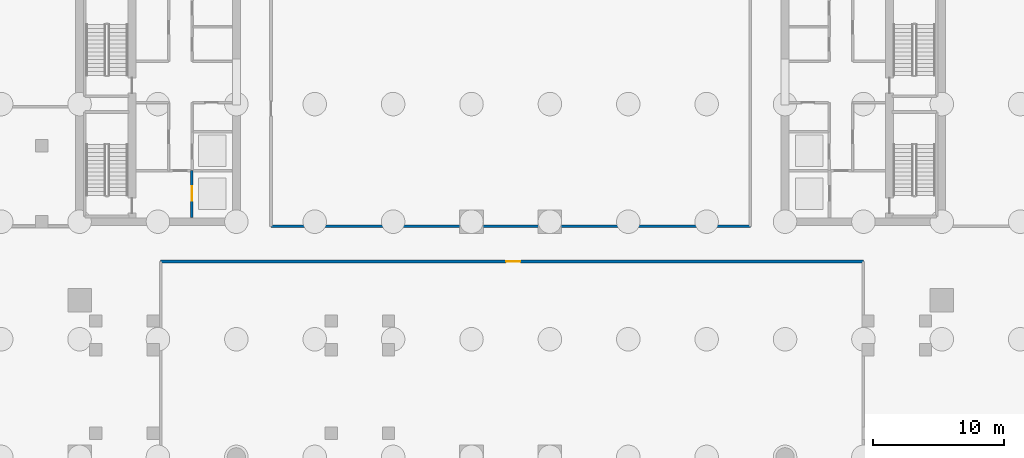
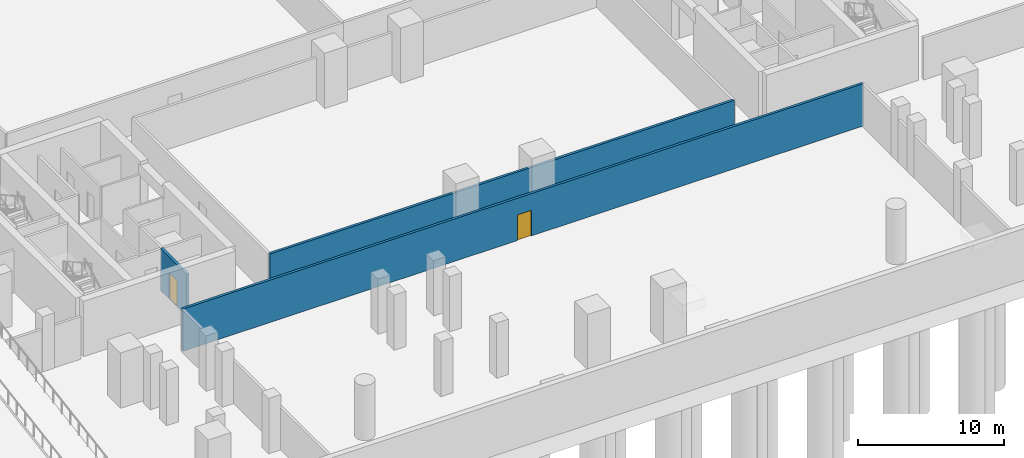
# One storey, part 5 of 14: 3 walls, 2 doors, 2 openings.
"""IFC4 building model written with IfcOpenShell, lengths in metres."""

import ifcopenshell
import ifcopenshell.guid

model = None  # the IFC model being written
_history = None  # IfcOwnerHistory: only IFC2X3 demands one
_inside = {}  # id of a spatial element -> (the spatial element, [elements in it])
_under = {}  # id of a project, library or spatial element -> (it, [spatial elements below it])
_declared = {}  # id of a project -> (the project, [libraries it declares])
_typed = {}  # id of a type object -> (the type object, [elements of that type])
_made_of = {}  # id of a material, layer set ... -> (it, [elements and type objects made of it])


def new_model(schema):
    """Start an empty IFC model of exactly this schema.

    Asked for "IFC4X3", IfcOpenShell would pick the latest addendum, in which some entities
    have other attributes; the version numbers below select the first issue.
    IFC2X3 requires an IfcOwnerHistory on every rooted entity: one is made here for all.
    """
    global model, _history
    if schema == "IFC4X3":
        model = ifcopenshell.file(schema_version=(4, 3, 0, 0))
    else:
        model = ifcopenshell.file(schema=schema)
    _inside.clear()
    _under.clear()
    _declared.clear()
    _typed.clear()
    _made_of.clear()
    _history = None
    if model.schema == "IFC2X3":
        org = make("IfcOrganization", Name="unknown")
        user = make(
            "IfcPersonAndOrganization",
            ThePerson=make("IfcPerson", FamilyName="unknown"),
            TheOrganization=org,
        )
        app = make(
            "IfcApplication",
            ApplicationDeveloper=org,
            Version="unknown",
            ApplicationFullName="unknown",
            ApplicationIdentifier="unknown",
        )
        _history = make(
            "IfcOwnerHistory",
            OwningUser=user,
            OwningApplication=app,
            ChangeAction="ADDED",
            CreationDate=0,
        )
    return model


def make(cls, **values):
    """One entity of the class cls with the attributes given. An attribute that is None is left unset."""
    return model.create_entity(
        cls, **{name: value for name, value in values.items() if value is not None}
    )


def rooted(cls, **values):
    """An entity with a GlobalId (a new one), such as an element, a storey or a relation."""
    return make(cls, GlobalId=ifcopenshell.guid.new(), OwnerHistory=_history, **values)


def si_unit(unit_type, name, prefix=None):
    """IfcSIUnit, for example si_unit("LENGTHUNIT", "METRE", prefix="MILLI")."""
    return make("IfcSIUnit", UnitType=unit_type, Prefix=prefix, Name=name)


def assignment(units):
    """IfcUnitAssignment: the units of a project."""
    return None if units is None else make("IfcUnitAssignment", Units=units)


def point(xyz):
    """IfcCartesianPoint."""
    return None if xyz is None else make("IfcCartesianPoint", Coordinates=xyz)


def direction(xyz):
    """IfcDirection."""
    return None if xyz is None else make("IfcDirection", DirectionRatios=xyz)


def frame(location, z_axis=None, x_axis=None):
    """IfcAxis2Placement3D, a coordinate frame: its origin and axes. An axis left out is left unset."""
    return make(
        "IfcAxis2Placement3D",
        Location=point(location),
        Axis=direction(z_axis),
        RefDirection=direction(x_axis),
    )


def frame_2d(location, x_axis=None):
    """IfcAxis2Placement2D, a coordinate frame in the plane: its origin and x axis."""
    return make(
        "IfcAxis2Placement2D", Location=point(location), RefDirection=direction(x_axis)
    )


def origin():
    """The frame at (0, 0, 0) with its axes left unset."""
    return frame((0.0, 0.0, 0.0))


def place(relative_to, where):
    """IfcLocalPlacement: puts the frame where relative to a parent placement (None: the world)."""
    return make(
        "IfcLocalPlacement", PlacementRelTo=relative_to, RelativePlacement=where
    )


def context(
    kind, dimensions, precision=None, world=None, true_north=None, identifier=None
):
    """IfcGeometricRepresentationContext, for example the 3D "Model" context."""
    return make(
        "IfcGeometricRepresentationContext",
        ContextIdentifier=identifier,
        ContextType=kind,
        CoordinateSpaceDimension=dimensions,
        Precision=precision,
        WorldCoordinateSystem=world,
        TrueNorth=true_north,
    )


def subcontext(parent, identifier, kind, view, scale=None):
    """IfcGeometricRepresentationSubContext, for example "Body" below "Model"."""
    return make(
        "IfcGeometricRepresentationSubContext",
        ContextIdentifier=identifier,
        ContextType=kind,
        ParentContext=parent,
        TargetScale=scale,
        TargetView=view,
    )


def project(units=None, contexts=None):
    """IfcProject with its units and contexts."""
    return rooted(
        "IfcProject",
        Name="project",
        RepresentationContexts=contexts,
        UnitsInContext=assignment(units),
    )


def spatial(cls, under=None, at=None, **own):
    """A site, building, storey or space (cls), placed at a placement, below another one or the project."""
    s = rooted(cls, ObjectPlacement=at, **own)
    if under is not None:
        _under.setdefault(under.id(), (under, []))[1].append(s)
    return s


def profile(cls, at=None, kind="AREA", **sizes):
    """A parametric profile (cls). Its sizes go by their IFC names, for example OverallWidth=200.0."""
    return make(cls, ProfileType=kind, Position=at, **sizes)


def rectangle(**sizes):
    """IfcRectangleProfileDef."""
    return profile("IfcRectangleProfileDef", **sizes)


def extrude(swept, where, along, depth):
    """IfcExtrudedAreaSolid: the profile swept, set in the frame where, extruded along a direction by depth."""
    return make(
        "IfcExtrudedAreaSolid",
        SweptArea=swept,
        Position=where,
        ExtrudedDirection=direction(along),
        Depth=depth,
    )


def shape(context_of_items, identifier, shape_type, items):
    """IfcShapeRepresentation: the items that make up one representation, for example the "Body"."""
    return make(
        "IfcShapeRepresentation",
        ContextOfItems=context_of_items,
        RepresentationIdentifier=identifier,
        RepresentationType=shape_type,
        Items=items,
    )


def material(Name=None, Category=None):
    """IfcMaterial."""
    return make("IfcMaterial", Name=Name, Category=Category)


def layer(
    of_material, thickness, ventilated=None, Name=None, Category=None, Priority=None
):
    """IfcMaterialLayer: one layer of a wall or slab, of a material (None: an air gap)."""
    return make(
        "IfcMaterialLayer",
        Material=of_material,
        LayerThickness=thickness,
        IsVentilated=ventilated,
        Name=Name,
        Category=Category,
        Priority=Priority,
    )


def layer_set(layers, Name=None):
    """IfcMaterialLayerSet."""
    return make("IfcMaterialLayerSet", MaterialLayers=layers, LayerSetName=Name)


def made_of(thing, what):
    """Note that an element or type object is made of a material, layer set ...; save() writes the relation."""
    if what is not None:
        _made_of.setdefault(what.id(), (what, []))[1].append(thing)
    return thing


def type_object(cls, material=None, **own):
    """A type object (cls), such as IfcWallType, which elements share."""
    return made_of(rooted(cls, **own), material)


def element(
    cls,
    number,
    at=None,
    inside=None,
    cuts=None,
    type_object=None,
    material=None,
    context=None,
    identifier="Body",
    shape_type=None,
    held_by="IfcProductDefinitionShape",
    body=None,
    shapes=None,
    **own,
):
    """One element of the class cls, such as IfcWall. Its Tag is "e" and its number.

    at: its placement. inside: the storey or other place that contains it. cuts: it is an
    opening in that element (IfcRelVoidsElement). A single representation is given by context,
    identifier, shape_type and body (its items); several are given by shapes. held_by: the class
    of the entity that holds the representations. save() writes the other relations.
    """
    e = rooted(cls, Tag="e%d" % number, ObjectPlacement=at, **own)
    if body is not None:
        shapes = [shape(context, identifier, shape_type, body)]
    if shapes is not None:
        e.Representation = make(held_by, Representations=shapes)
    if inside is not None:
        _inside.setdefault(inside.id(), (inside, []))[1].append(e)
    if cuts is not None:
        rooted(
            "IfcRelVoidsElement", RelatingBuildingElement=cuts, RelatedOpeningElement=e
        )
    if type_object is not None:
        _typed.setdefault(type_object.id(), (type_object, []))[1].append(e)
    return made_of(e, material)


def fill(opening, filler):
    """IfcRelFillsElement: the door or window that sits in an opening."""
    return rooted(
        "IfcRelFillsElement",
        RelatingOpeningElement=opening,
        RelatedBuildingElement=filler,
    )


def aggregate(whole, parts):
    """IfcRelAggregates: a whole, such as a stair, and the parts it consists of."""
    return rooted("IfcRelAggregates", RelatingObject=whole, RelatedObjects=parts)


def save(model, path):
    """Write the relations noted so far, then the file.

    IfcRelAggregates (storeys below a building ...), IfcRelContainedInSpatialStructure (elements
    in a storey), IfcRelDefinesByType, IfcRelAssociatesMaterial and IfcRelDeclares: one each for
    every whole, place, type object, material and project.
    """
    for whole, parts in _under.values():
        aggregate(whole, parts)
    for where, things in _inside.values():
        rooted(
            "IfcRelContainedInSpatialStructure",
            RelatedElements=things,
            RelatingStructure=where,
        )
    for kind, things in _typed.values():
        rooted("IfcRelDefinesByType", RelatedObjects=things, RelatingType=kind)
    for what, things in _made_of.values():
        rooted("IfcRelAssociatesMaterial", RelatedObjects=things, RelatingMaterial=what)
    for by, libraries in _declared.values():
        rooted("IfcRelDeclares", RelatingContext=by, RelatedDefinitions=libraries)
    model.write(path)


model = new_model("IFC4")

# Units and contexts
model_context = context("Model", 3, precision=1e-05, world=origin(), true_north=direction((0.0, 1.0)))
body_context = subcontext(model_context, "Body", "Model", "MODEL_VIEW")
ifc_project = project(units=[si_unit("LENGTHUNIT", "METRE"), si_unit("AREAUNIT", "SQUARE_METRE"), si_unit("VOLUMEUNIT", "CUBIC_METRE"), si_unit("PLANEANGLEUNIT", "RADIAN"), si_unit("MASSUNIT", "GRAM", prefix="KILO")], contexts=[model_context])

# Site, building, storey
site_placement = place(None, origin())
site = spatial("IfcSite", under=ifc_project, at=site_placement, CompositionType="ELEMENT")
building_placement = place(site_placement, origin())
building = spatial("IfcBuilding", under=site, at=building_placement, Name="Tanjung Sevakor Pilgrim Tower", CompositionType="ELEMENT")
storey_placement = place(building_placement, frame((0.0, 0.0, -9.239990234375)))
storey = spatial("IfcBuildingStorey", under=building, at=storey_placement, Name="B02", CompositionType="ELEMENT", Elevation=-9.239990234375)

# Wall, opening, door
ifc_material_1 = material(Name="Concrete C40/50", Category="concrete")
ifc_layer = layer(ifc_material_1, 0.199951171875)
ifc_layer_set = layer_set([ifc_layer], Name="WT-FPRT-200")
wall_type = type_object("IfcWallType", Name="WT-FPRT-200", PredefinedType="SOLIDWALL", material=ifc_layer_set)
wall_1_placement = place(storey_placement, frame((32.60009765625, 24.919921875, 0.0), z_axis=(0.0, 0.0, 1.0), x_axis=(0.0, 1.0, 0.0)))
wall_1 = element("IfcWall", 1, at=wall_1_placement, inside=storey, type_object=wall_type, Name="B02 Partition IW-B02-001", PredefinedType="SOLIDWALL", context=body_context, shape_type="SweptSolid", body=[
    extrude(rectangle(XDim=3.580078125, YDim=0.199951171875, at=frame_2d((1.7900390625, 0.0))), origin(), (0.0, 0.0, 1.0), 3.5400390625),
])
opening_1_placement = place(wall_1_placement, frame((1.300048828125, 0.0, 0.0)))
opening_1 = element("IfcOpeningElement", 2, at=opening_1_placement, cuts=wall_1, Name="Opening LD-1100", PredefinedType="OPENING", context=body_context, shape_type="SweptSolid", body=[
    extrude(rectangle(XDim=1.10009765625, YDim=2.199951171875, at=frame_2d((0.550048828125, 1.10009765625))), frame((0.0, 0.10986328125, 0.0), z_axis=(0.0, -1.0, 0.0), x_axis=(1.0, 0.0, 0.0)), (0.0, 0.0, 1.0), 0.219970703125),
])
ifc_material_2 = material(Name="Brushed Stainless Steel S355J2", Category="steel")
door_type_1 = type_object("IfcDoorType", Name="DT-LIFT-1100", OperationType="SLIDING_TO_LEFT", PredefinedType="DOOR", material=ifc_material_2)
door_1_placement = place(opening_1_placement, origin())
door_1 = element("IfcDoor", 3, at=door_1_placement, inside=storey, type_object=door_type_1, Name="LD-FL-W", OperationType="SLIDING_TO_LEFT", OverallHeight=2.199951171875, OverallWidth=1.10009765625, PredefinedType="DOOR", context=body_context, shape_type="SweptSolid", body=[
    extrude(rectangle(XDim=1.10009765625, YDim=2.199951171875, at=frame_2d((0.550048828125, 1.10009765625))), frame((0.0, 0.02490234375, 0.0), z_axis=(0.0, -1.0, 0.0), x_axis=(1.0, 0.0, 0.0)), (0.0, 0.0, 1.0), 0.050048828125),
])
fill(opening_1, door_1)

wall_2_placement = place(storey_placement, frame((30.199951171875, 21.550048828125, 0.0), z_axis=(0.0, 0.0, 1.0), x_axis=(1.0, 0.0, 0.0)))
wall_2 = element("IfcWall", 4, at=wall_2_placement, inside=storey, type_object=wall_type, Name="B02 Partition IW-B02-035", PredefinedType="SOLIDWALL", context=body_context, shape_type="SweptSolid", body=[
    extrude(rectangle(XDim=53.800048828125, YDim=0.199951171875, at=frame_2d((26.89990234375, 0.0))), origin(), (0.0, 0.0, 1.0), 3.5400390625),
])
opening_2_placement = place(wall_2_placement, frame((26.449951171875, 0.0, 0.0)))
opening_2 = element("IfcOpeningElement", 5, at=opening_2_placement, cuts=wall_2, Name="Opening ID-FD0", PredefinedType="OPENING", context=body_context, shape_type="SweptSolid", body=[
    extrude(rectangle(XDim=1.10009765625, YDim=2.14990234375, at=frame_2d((0.550048828125, 1.074951171875))), frame((0.0, 0.10986328125, 0.0), z_axis=(0.0, -1.0, 0.0), x_axis=(1.0, 0.0, 0.0)), (0.0, 0.0, 1.0), 0.219970703125),
])
ifc_material_3 = material(Name="Fire-Rated Steel S355J2", Category="steel")
door_type_2 = type_object("IfcDoorType", Name="DT-FIRE-1100", OperationType="NOTDEFINED", PredefinedType="DOOR", material=ifc_material_3)
door_2_placement = place(opening_2_placement, origin())
door_2 = element("IfcDoor", 6, at=door_2_placement, inside=storey, type_object=door_type_2, Name="B02 Car Park Fire Door", OperationType="SINGLE_SWING_RIGHT", OverallHeight=2.14990234375, OverallWidth=1.10009765625, PredefinedType="DOOR", context=body_context, shape_type="SweptSolid", body=[
    extrude(rectangle(XDim=1.10009765625, YDim=2.14990234375, at=frame_2d((0.550048828125, 1.074951171875))), frame((0.0, 0.02490234375, 0.0), z_axis=(0.0, -1.0, 0.0), x_axis=(1.0, 0.0, 0.0)), (0.0, 0.0, 1.0), 0.050048828125),
])
fill(opening_2, door_2)

# Wall
wall_3_placement = place(storey_placement, frame((38.64990234375, 24.25, 0.0), z_axis=(0.0, 0.0, 1.0), x_axis=(1.0, 0.0, 0.0)))
element("IfcWall", 7, at=wall_3_placement, inside=storey, type_object=wall_type, Name="B02 Partition IW-B02-038", PredefinedType="SOLIDWALL", context=body_context, shape_type="SweptSolid", body=[
    extrude(rectangle(XDim=36.7001953125, YDim=0.199951171875, at=frame_2d((18.35009765625, 0.0))), origin(), (0.0, 0.0, 1.0), 3.5400390625),
])

save(model, "model.ifc")
